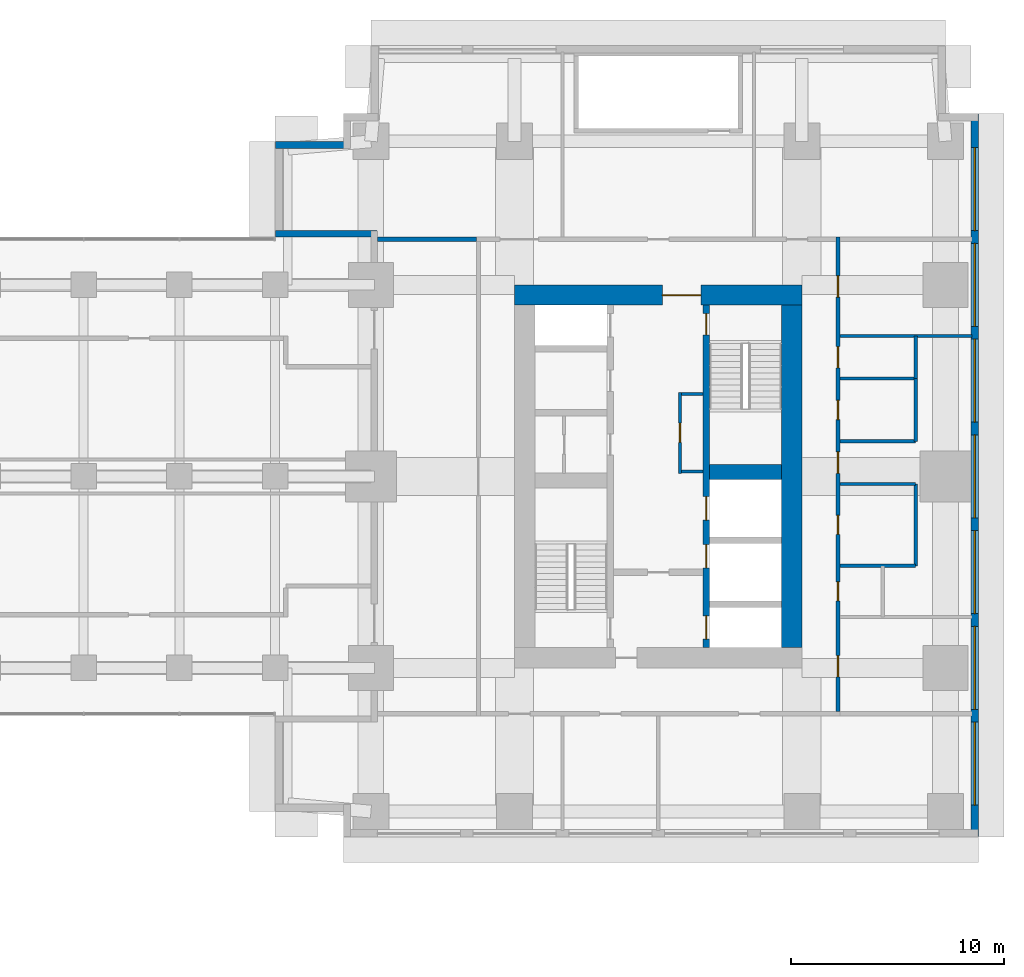
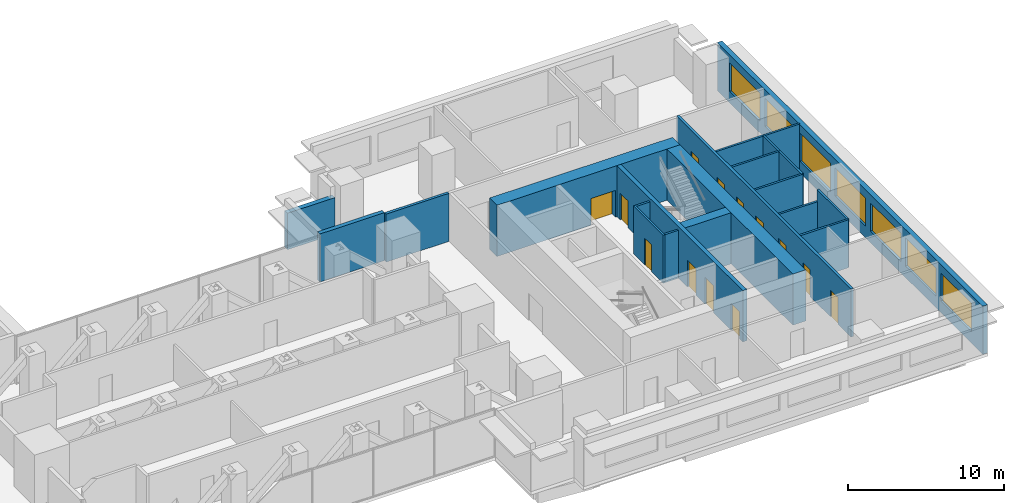
# One storey, part 11 of 14: 20 walls, 13 doors, 7 windows, 20 openings.
"""IFC4 building model written with IfcOpenShell, lengths in metres."""

from ifc_helpers import new_model, si_unit, direction, frame, frame_2d, origin, place, context, subcontext, project, spatial, rectangle, extrude, material, layer, layer_set, type_object, element, fill, save


model = new_model("IFC4")

# Units and contexts
model_context = context("Model", 3, precision=1e-05, world=origin(), true_north=direction((0.0, 1.0)))
body_context = subcontext(model_context, "Body", "Model", "MODEL_VIEW")
ifc_project = project(units=[si_unit("LENGTHUNIT", "METRE"), si_unit("AREAUNIT", "SQUARE_METRE"), si_unit("VOLUMEUNIT", "CUBIC_METRE"), si_unit("PLANEANGLEUNIT", "RADIAN"), si_unit("MASSUNIT", "GRAM", prefix="KILO")], contexts=[model_context])

# Site, building, storey
site_placement = place(None, origin())
site = spatial("IfcSite", under=ifc_project, at=site_placement, CompositionType="ELEMENT")
building_placement = place(site_placement, origin())
building = spatial("IfcBuilding", under=site, at=building_placement, Name="Namib Vertical Campus", CompositionType="ELEMENT")
storey_placement = place(building_placement, frame((0.0, 0.0, 133.0)))
storey = spatial("IfcBuildingStorey", under=building, at=storey_placement, Name="L31", CompositionType="ELEMENT", Elevation=133.0)

# Wall, openings, doors
ifc_material_1 = material(Name="Concrete C60/75", Category="concrete")
ifc_layer_1 = layer(ifc_material_1, 0.300048828125)
ifc_layer_set_1 = layer_set([ifc_layer_1], Name="Concrete C60/75")
wall_type_1 = type_object("IfcWallType", Name="Core inner wall 300", PredefinedType="SHEAR", material=ifc_layer_set_1)
wall_1_placement = place(storey_placement, frame((83.25, 12.199951171875, 0.0), z_axis=(0.0, 0.0, 1.0), x_axis=(0.0, 1.0, 0.0)))
wall_1 = element("IfcWall", 1, at=wall_1_placement, inside=storey, type_object=wall_type_1, Name="Core inner wall B L31 W2", PredefinedType="SHEAR", context=body_context, shape_type="SweptSolid", body=[
    extrude(rectangle(XDim=16.10009765625, YDim=0.300048828125, at=frame_2d((8.050048828125, 0.0))), origin(), (0.0, 0.0, 1.0), 4.0),
])
opening_1_placement = place(wall_1_placement, frame((14.699951171875, 0.0, 0.0)))
opening_1 = element("IfcOpeningElement", 2, at=opening_1_placement, cuts=wall_1, Name="Opening FD1", PredefinedType="OPENING", context=body_context, shape_type="SweptSolid", body=[
    extrude(rectangle(XDim=1.0, YDim=2.10009765625, at=frame_2d((0.5, 1.050048828125))), frame((0.0, 0.159912109375, 0.0), z_axis=(0.0, -1.0, 0.0), x_axis=(1.0, 0.0, 0.0)), (0.0, 0.0, 1.0), 0.320068359375),
])
opening_2_placement = place(wall_1_placement, frame((0.39990234375, 0.0, 0.0)))
opening_2 = element("IfcOpeningElement", 3, at=opening_2_placement, cuts=wall_1, Name="Opening LD1", PredefinedType="OPENING", context=body_context, shape_type="SweptSolid", body=[
    extrude(rectangle(XDim=1.10009765625, YDim=2.10009765625, at=frame_2d((0.550048828125, 1.050048828125))), frame((0.0, 0.159912109375, 0.0), z_axis=(0.0, -1.0, 0.0), x_axis=(1.0, 0.0, 0.0)), (0.0, 0.0, 1.0), 0.320068359375),
])
opening_3_placement = place(wall_1_placement, frame((3.75, 0.0, 0.0)))
opening_3 = element("IfcOpeningElement", 4, at=opening_3_placement, cuts=wall_1, Name="Opening LD1", PredefinedType="OPENING", context=body_context, shape_type="SweptSolid", body=[
    extrude(rectangle(XDim=1.10009765625, YDim=2.10009765625, at=frame_2d((0.550048828125, 1.050048828125))), frame((0.0, 0.159912109375, 0.0), z_axis=(0.0, -1.0, 0.0), x_axis=(1.0, 0.0, 0.0)), (0.0, 0.0, 1.0), 0.320068359375),
])
opening_4_placement = place(wall_1_placement, frame((6.0, 0.0, 0.0)))
opening_4 = element("IfcOpeningElement", 5, at=opening_4_placement, cuts=wall_1, Name="Opening LD1", PredefinedType="OPENING", context=body_context, shape_type="SweptSolid", body=[
    extrude(rectangle(XDim=1.10009765625, YDim=2.10009765625, at=frame_2d((0.550048828125, 1.050048828125))), frame((0.0, 0.159912109375, 0.0), z_axis=(0.0, -1.0, 0.0), x_axis=(1.0, 0.0, 0.0)), (0.0, 0.0, 1.0), 0.320068359375),
])
ifc_material_2 = material(Name="Steel fire door", Category="steel")
door_type_1 = type_object("IfcDoorType", Name="Fire door 1000x2100", OperationType="SINGLE_SWING_RIGHT", PredefinedType="DOOR", material=ifc_material_2)
door_1_placement = place(opening_1_placement, frame((1.0, 0.0, 0.0), z_axis=(0.0, 0.0, 1.0), x_axis=(-1.0, 0.0, 0.0)))
door_1 = element("IfcDoor", 6, at=door_1_placement, inside=storey, type_object=door_type_1, Name="Stair door FD1 B L31 S2", OperationType="SINGLE_SWING_LEFT", OverallHeight=2.10009765625, OverallWidth=1.0, PredefinedType="DOOR", context=body_context, shape_type="SweptSolid", body=[
    extrude(rectangle(XDim=1.0, YDim=2.10009765625, at=frame_2d((0.5, 1.050048828125))), frame((0.0, 0.02490234375, 0.0), z_axis=(0.0, -1.0, 0.0), x_axis=(1.0, 0.0, 0.0)), (0.0, 0.0, 1.0), 0.050048828125),
])
fill(opening_1, door_1)
ifc_material_3 = material(Name="Stainless steel lift door", Category="steel")
door_type_2 = type_object("IfcDoorType", Name="Lift landing door 1100x2100", OperationType="DOUBLE_DOOR_SLIDING", PredefinedType="DOOR", material=ifc_material_3)
door_2_placement = place(opening_2_placement, origin())
door_2 = element("IfcDoor", 7, at=door_2_placement, inside=storey, type_object=door_type_2, Name="Lift landing door LD1 B-FL1 L31", OperationType="DOUBLE_DOOR_SLIDING", OverallHeight=2.10009765625, OverallWidth=1.10009765625, PredefinedType="DOOR", context=body_context, shape_type="SweptSolid", body=[
    extrude(rectangle(XDim=1.10009765625, YDim=2.10009765625, at=frame_2d((0.550048828125, 1.050048828125))), frame((0.0, 0.02490234375, 0.0), z_axis=(0.0, -1.0, 0.0), x_axis=(1.0, 0.0, 0.0)), (0.0, 0.0, 1.0), 0.050048828125),
])
fill(opening_2, door_2)
door_3_placement = place(opening_3_placement, origin())
door_3 = element("IfcDoor", 8, at=door_3_placement, inside=storey, type_object=door_type_2, Name="Lift landing door LD1 B-P4 L31", OperationType="DOUBLE_DOOR_SLIDING", OverallHeight=2.10009765625, OverallWidth=1.10009765625, PredefinedType="DOOR", context=body_context, shape_type="SweptSolid", body=[
    extrude(rectangle(XDim=1.10009765625, YDim=2.10009765625, at=frame_2d((0.550048828125, 1.050048828125))), frame((0.0, 0.02490234375, 0.0), z_axis=(0.0, -1.0, 0.0), x_axis=(1.0, 0.0, 0.0)), (0.0, 0.0, 1.0), 0.050048828125),
])
fill(opening_3, door_3)
door_4_placement = place(opening_4_placement, origin())
door_4 = element("IfcDoor", 9, at=door_4_placement, inside=storey, type_object=door_type_2, Name="Lift landing door LD1 B-P5 L31", OperationType="DOUBLE_DOOR_SLIDING", OverallHeight=2.10009765625, OverallWidth=1.10009765625, PredefinedType="DOOR", context=body_context, shape_type="SweptSolid", body=[
    extrude(rectangle(XDim=1.10009765625, YDim=2.10009765625, at=frame_2d((0.550048828125, 1.050048828125))), frame((0.0, 0.02490234375, 0.0), z_axis=(0.0, -1.0, 0.0), x_axis=(1.0, 0.0, 0.0)), (0.0, 0.0, 1.0), 0.050048828125),
])
fill(opening_4, door_4)

# Walls
ifc_material_4 = material(Name="Concrete C60/75", Category="concrete")
ifc_layer_2 = layer(ifc_material_4, 0.699951171875)
ifc_layer_set_2 = layer_set([ifc_layer_2], Name="Concrete C60/75")
wall_type_2 = type_object("IfcWallType", Name="Core shear wall 700", PredefinedType="SHEAR", material=ifc_layer_set_2)
wall_2_placement = place(storey_placement, frame((83.39990234375, 20.449951171875, 0.0), z_axis=(0.0, 0.0, 1.0), x_axis=(1.0, 0.0, 0.0)))
element("IfcWall", 10, at=wall_2_placement, inside=storey, type_object=wall_type_2, Name="Core shear wall B L31 W7", PredefinedType="SHEAR", context=body_context, shape_type="SweptSolid", body=[
    extrude(rectangle(XDim=3.400146484375, YDim=0.699951171875, at=frame_2d((1.7001953125, 0.0))), origin(), (0.0, 0.0, 1.0), 4.0),
])
ifc_material_5 = material(Name="Concrete C60/75", Category="concrete")
ifc_layer_3 = layer(ifc_material_5, 0.949951171875)
ifc_layer_set_3 = layer_set([ifc_layer_3], Name="Concrete C60/75")
wall_type_3 = type_object("IfcWallType", Name="Core wall 950", PredefinedType="SHEAR", material=ifc_layer_set_3)
wall_3_placement = place(storey_placement, frame((87.27490234375, 12.199951171875, 0.0), z_axis=(0.0, 0.0, 1.0), x_axis=(0.0, 1.0, 0.0)))
element("IfcWall", 11, at=wall_3_placement, inside=storey, type_object=wall_type_3, Name="Core wall B L31 2", PredefinedType="SHEAR", context=body_context, shape_type="SweptSolid", body=[
    extrude(rectangle(XDim=16.10009765625, YDim=0.949951171875, at=frame_2d((8.050048828125, 0.0))), origin(), (0.0, 0.0, 1.0), 4.0),
])

# Wall, opening, door
wall_4_placement = place(storey_placement, frame((87.75, 28.77490234375, 0.0), z_axis=(0.0, 0.0, 1.0), x_axis=(-1.0, 0.0, 0.0)))
wall_4 = element("IfcWall", 12, at=wall_4_placement, inside=storey, type_object=wall_type_3, Name="Core wall B L31 3", PredefinedType="SHEAR", context=body_context, shape_type="SweptSolid", body=[
    extrude(rectangle(XDim=13.5, YDim=0.949951171875, at=frame_2d((6.75, 0.0))), origin(), (0.0, 0.0, 1.0), 4.0),
])
opening_5_placement = place(wall_4_placement, frame((4.75, 0.0, 0.0)))
opening_5 = element("IfcOpeningElement", 13, at=opening_5_placement, cuts=wall_4, Name="Opening FD2", PredefinedType="OPENING", context=body_context, shape_type="SweptSolid", body=[
    extrude(rectangle(XDim=1.800048828125, YDim=2.10009765625, at=frame_2d((0.89990234375, 1.050048828125))), frame((0.0, 0.48486328125, 0.0), z_axis=(0.0, -1.0, 0.0), x_axis=(1.0, 0.0, 0.0)), (0.0, 0.0, 1.0), 0.969970703125),
])
ifc_material_6 = material(Name="Steel fire door", Category="steel")
door_type_3 = type_object("IfcDoorType", Name="Fire door double 1800x2100", OperationType="DOUBLE_DOOR_SINGLE_SWING", PredefinedType="DOOR", material=ifc_material_6)
door_5_placement = place(opening_5_placement, origin())
door_5 = element("IfcDoor", 14, at=door_5_placement, inside=storey, type_object=door_type_3, Name="Lift lobby door FD2 B L31", OperationType="DOUBLE_DOOR_SINGLE_SWING", OverallHeight=2.10009765625, OverallWidth=1.800048828125, PredefinedType="DOOR", context=body_context, shape_type="SweptSolid", body=[
    extrude(rectangle(XDim=1.800048828125, YDim=2.10009765625, at=frame_2d((0.89990234375, 1.050048828125))), frame((0.0, 0.02490234375, 0.0), z_axis=(0.0, -1.0, 0.0), x_axis=(1.0, 0.0, 0.0)), (0.0, 0.0, 1.0), 0.050048828125),
])
fill(opening_5, door_5)

# Wall, openings, doors
ifc_material_7 = material(Name="Concrete masonry", Category="masonry")
ifc_layer_4 = layer(ifc_material_7, 0.199951171875)
ifc_layer_set_4 = layer_set([ifc_layer_4], Name="Corridor wall 200")
wall_type_4 = type_object("IfcWallType", Name="Corridor wall 200", PredefinedType="SOLIDWALL", material=ifc_layer_set_4)
wall_5_placement = place(storey_placement, frame((89.449951171875, 9.199951171875, 0.0), z_axis=(0.0, 0.0, 1.0), x_axis=(0.0, 1.0, 0.0)))
wall_5 = element("IfcWall", 15, at=wall_5_placement, inside=storey, type_object=wall_type_4, Name="Corridor wall B L31 CE", PredefinedType="SOLIDWALL", context=body_context, shape_type="SweptSolid", body=[
    extrude(rectangle(XDim=22.300048828125, YDim=0.199951171875, at=frame_2d((11.14990234375, 0.0))), origin(), (0.0, 0.0, 1.0), 3.75),
])
opening_6_placement = place(wall_5_placement, frame((1.625, 0.0, 0.0)))
opening_6 = element("IfcOpeningElement", 16, at=opening_6_placement, cuts=wall_5, Name="Opening CD1", PredefinedType="OPENING", context=body_context, shape_type="SweptSolid", body=[
    extrude(rectangle(XDim=1.0, YDim=2.10009765625, at=frame_2d((0.5, 1.050048828125))), frame((0.0, 0.10986328125, 0.0), z_axis=(0.0, -1.0, 0.0), x_axis=(1.0, 0.0, 0.0)), (0.0, 0.0, 1.0), 0.219970703125),
])
opening_7_placement = place(wall_5_placement, frame((5.199951171875, 0.0, 0.0)))
opening_7 = element("IfcOpeningElement", 17, at=opening_7_placement, cuts=wall_5, Name="Opening CD3", PredefinedType="OPENING", context=body_context, shape_type="SweptSolid", body=[
    extrude(rectangle(XDim=0.89990234375, YDim=2.10009765625, at=frame_2d((0.449951171875, 1.050048828125))), frame((0.0, 0.10986328125, 0.0), z_axis=(0.0, -1.0, 0.0), x_axis=(1.0, 0.0, 0.0)), (0.0, 0.0, 1.0), 0.219970703125),
])
opening_8_placement = place(wall_5_placement, frame((8.324951171875, 0.0, 0.0)))
opening_8 = element("IfcOpeningElement", 18, at=opening_8_placement, cuts=wall_5, Name="Opening CD3", PredefinedType="OPENING", context=body_context, shape_type="SweptSolid", body=[
    extrude(rectangle(XDim=0.89990234375, YDim=2.10009765625, at=frame_2d((0.449951171875, 1.050048828125))), frame((0.0, 0.10986328125, 0.0), z_axis=(0.0, -1.0, 0.0), x_axis=(1.0, 0.0, 0.0)), (0.0, 0.0, 1.0), 0.219970703125),
])
opening_9_placement = place(wall_5_placement, frame((13.72509765625, 0.0, 0.0)))
opening_9 = element("IfcOpeningElement", 19, at=opening_9_placement, cuts=wall_5, Name="Opening CD3", PredefinedType="OPENING", context=body_context, shape_type="SweptSolid", body=[
    extrude(rectangle(XDim=0.89990234375, YDim=2.10009765625, at=frame_2d((0.449951171875, 1.050048828125))), frame((0.0, 0.10986328125, 0.0), z_axis=(0.0, -1.0, 0.0), x_axis=(1.0, 0.0, 0.0)), (0.0, 0.0, 1.0), 0.219970703125),
])
opening_10_placement = place(wall_5_placement, frame((16.14990234375, 0.0, 0.0)))
opening_10 = element("IfcOpeningElement", 20, at=opening_10_placement, cuts=wall_5, Name="Opening CD1", PredefinedType="OPENING", context=body_context, shape_type="SweptSolid", body=[
    extrude(rectangle(XDim=1.0, YDim=2.10009765625, at=frame_2d((0.5, 1.050048828125))), frame((0.0, 0.10986328125, 0.0), z_axis=(0.0, -1.0, 0.0), x_axis=(1.0, 0.0, 0.0)), (0.0, 0.0, 1.0), 0.219970703125),
])
opening_11_placement = place(wall_5_placement, frame((11.199951171875, 0.0, 0.0)))
opening_11 = element("IfcOpeningElement", 21, at=opening_11_placement, cuts=wall_5, Name="Opening CD1", PredefinedType="OPENING", context=body_context, shape_type="SweptSolid", body=[
    extrude(rectangle(XDim=1.0, YDim=2.10009765625, at=frame_2d((0.5, 1.050048828125))), frame((0.0, 0.10986328125, 0.0), z_axis=(0.0, -1.0, 0.0), x_axis=(1.0, 0.0, 0.0)), (0.0, 0.0, 1.0), 0.219970703125),
])
opening_12_placement = place(wall_5_placement, frame((19.47509765625, 0.0, 0.0)))
opening_12 = element("IfcOpeningElement", 22, at=opening_12_placement, cuts=wall_5, Name="Opening CD1", PredefinedType="OPENING", context=body_context, shape_type="SweptSolid", body=[
    extrude(rectangle(XDim=1.0, YDim=2.10009765625, at=frame_2d((0.5, 1.050048828125))), frame((0.0, 0.10986328125, 0.0), z_axis=(0.0, -1.0, 0.0), x_axis=(1.0, 0.0, 0.0)), (0.0, 0.0, 1.0), 0.219970703125),
])
ifc_material_8 = material(Name="Timber fire door leaf", Category="wood")
door_type_4 = type_object("IfcDoorType", Name="Corridor door 1000x2100 20 min", OperationType="SINGLE_SWING_LEFT", PredefinedType="DOOR", material=ifc_material_8)
door_6_placement = place(opening_6_placement, frame((1.0, 0.0, 0.0), z_axis=(0.0, 0.0, 1.0), x_axis=(-1.0, 0.0, 0.0)))
door_6 = element("IfcDoor", 23, at=door_6_placement, inside=storey, type_object=door_type_4, Name="Door CD1 B31-04", OperationType="SINGLE_SWING_RIGHT", OverallHeight=2.10009765625, OverallWidth=1.0, PredefinedType="DOOR", context=body_context, shape_type="SweptSolid", body=[
    extrude(rectangle(XDim=1.0, YDim=2.10009765625, at=frame_2d((0.5, 1.050048828125))), frame((0.0, 0.02490234375, 0.0), z_axis=(0.0, -1.0, 0.0), x_axis=(1.0, 0.0, 0.0)), (0.0, 0.0, 1.0), 0.050048828125),
])
fill(opening_6, door_6)
door_7_placement = place(opening_10_placement, frame((1.0, 0.0, 0.0), z_axis=(0.0, 0.0, 1.0), x_axis=(-1.0, 0.0, 0.0)))
door_7 = element("IfcDoor", 24, at=door_7_placement, inside=storey, type_object=door_type_4, Name="Door CD1 B31-08", OperationType="SINGLE_SWING_RIGHT", OverallHeight=2.10009765625, OverallWidth=1.0, PredefinedType="DOOR", context=body_context, shape_type="SweptSolid", body=[
    extrude(rectangle(XDim=1.0, YDim=2.10009765625, at=frame_2d((0.5, 1.050048828125))), frame((0.0, 0.02490234375, 0.0), z_axis=(0.0, -1.0, 0.0), x_axis=(1.0, 0.0, 0.0)), (0.0, 0.0, 1.0), 0.050048828125),
])
fill(opening_10, door_7)
door_8_placement = place(opening_11_placement, frame((1.0, 0.0, 0.0), z_axis=(0.0, 0.0, 1.0), x_axis=(-1.0, 0.0, 0.0)))
door_8 = element("IfcDoor", 25, at=door_8_placement, inside=storey, type_object=door_type_4, Name="Door CD1 B31-09", OperationType="SINGLE_SWING_RIGHT", OverallHeight=2.10009765625, OverallWidth=1.0, PredefinedType="DOOR", context=body_context, shape_type="SweptSolid", body=[
    extrude(rectangle(XDim=1.0, YDim=2.10009765625, at=frame_2d((0.5, 1.050048828125))), frame((0.0, 0.02490234375, 0.0), z_axis=(0.0, -1.0, 0.0), x_axis=(1.0, 0.0, 0.0)), (0.0, 0.0, 1.0), 0.050048828125),
])
fill(opening_11, door_8)
door_9_placement = place(opening_12_placement, frame((1.0, 0.0, 0.0), z_axis=(0.0, 0.0, 1.0), x_axis=(-1.0, 0.0, 0.0)))
door_9 = element("IfcDoor", 26, at=door_9_placement, inside=storey, type_object=door_type_4, Name="Door CD1 B31-10", OperationType="SINGLE_SWING_RIGHT", OverallHeight=2.10009765625, OverallWidth=1.0, PredefinedType="DOOR", context=body_context, shape_type="SweptSolid", body=[
    extrude(rectangle(XDim=1.0, YDim=2.10009765625, at=frame_2d((0.5, 1.050048828125))), frame((0.0, 0.02490234375, 0.0), z_axis=(0.0, -1.0, 0.0), x_axis=(1.0, 0.0, 0.0)), (0.0, 0.0, 1.0), 0.050048828125),
])
fill(opening_12, door_9)
ifc_material_9 = material(Name="Timber fire door leaf", Category="wood")
door_type_5 = type_object("IfcDoorType", Name="Corridor toilet door 900x2100 20 min", OperationType="SINGLE_SWING_LEFT", PredefinedType="DOOR", material=ifc_material_9)
door_10_placement = place(opening_7_placement, frame((0.89990234375, 0.0, 0.0), z_axis=(0.0, 0.0, 1.0), x_axis=(-1.0, 0.0, 0.0)))
door_10 = element("IfcDoor", 27, at=door_10_placement, inside=storey, type_object=door_type_5, Name="Door CD3 B31-05", OperationType="SINGLE_SWING_RIGHT", OverallHeight=2.10009765625, OverallWidth=0.89990234375, PredefinedType="DOOR", context=body_context, shape_type="SweptSolid", body=[
    extrude(rectangle(XDim=0.89990234375, YDim=2.10009765625, at=frame_2d((0.449951171875, 1.050048828125))), frame((0.0, 0.02490234375, 0.0), z_axis=(0.0, -1.0, 0.0), x_axis=(1.0, 0.0, 0.0)), (0.0, 0.0, 1.0), 0.050048828125),
])
fill(opening_7, door_10)
door_11_placement = place(opening_8_placement, frame((0.89990234375, 0.0, 0.0), z_axis=(0.0, 0.0, 1.0), x_axis=(-1.0, 0.0, 0.0)))
door_11 = element("IfcDoor", 28, at=door_11_placement, inside=storey, type_object=door_type_5, Name="Door CD3 B31-06", OperationType="SINGLE_SWING_RIGHT", OverallHeight=2.10009765625, OverallWidth=0.89990234375, PredefinedType="DOOR", context=body_context, shape_type="SweptSolid", body=[
    extrude(rectangle(XDim=0.89990234375, YDim=2.10009765625, at=frame_2d((0.449951171875, 1.050048828125))), frame((0.0, 0.02490234375, 0.0), z_axis=(0.0, -1.0, 0.0), x_axis=(1.0, 0.0, 0.0)), (0.0, 0.0, 1.0), 0.050048828125),
])
fill(opening_8, door_11)
door_12_placement = place(opening_9_placement, frame((0.89990234375, 0.0, 0.0), z_axis=(0.0, 0.0, 1.0), x_axis=(-1.0, 0.0, 0.0)))
door_12 = element("IfcDoor", 29, at=door_12_placement, inside=storey, type_object=door_type_5, Name="Door CD3 B31-07", OperationType="SINGLE_SWING_RIGHT", OverallHeight=2.10009765625, OverallWidth=0.89990234375, PredefinedType="DOOR", context=body_context, shape_type="SweptSolid", body=[
    extrude(rectangle(XDim=0.89990234375, YDim=2.10009765625, at=frame_2d((0.449951171875, 1.050048828125))), frame((0.0, 0.02490234375, 0.0), z_axis=(0.0, -1.0, 0.0), x_axis=(1.0, 0.0, 0.0)), (0.0, 0.0, 1.0), 0.050048828125),
])
fill(opening_9, door_12)

# Wall
wall_6_placement = place(storey_placement, frame((67.800048828125, 31.39990234375, 0.0), z_axis=(0.0, 0.0, 1.0), x_axis=(1.0, 0.0, 0.0)))
element("IfcWall", 30, at=wall_6_placement, inside=storey, type_object=wall_type_4, Name="Partition B L31 BNW", PredefinedType="SOLIDWALL", context=body_context, shape_type="SweptSolid", body=[
    extrude(rectangle(XDim=4.64990234375, YDim=0.199951171875, at=frame_2d((2.324951171875, 0.0))), origin(), (0.0, 0.0, 1.0), 3.75),
])

# Wall, openings, windows
ifc_material_10 = material(Name="Concrete C40/50", Category="concrete")
ifc_layer_5 = layer(ifc_material_10, 0.35009765625)
ifc_layer_set_5 = layer_set([ifc_layer_5], Name="Concrete C40/50")
wall_type_5 = type_object("IfcWallType", Name="External wall 350 bush-hammered concrete", PredefinedType="STANDARD", material=ifc_layer_set_5)
wall_7_placement = place(storey_placement, frame((95.875, 3.320068359375, 0.0), z_axis=(0.0, 0.0, 1.0), x_axis=(0.0, 1.0, 0.0)))
wall_7 = element("IfcWall", 31, at=wall_7_placement, inside=storey, type_object=wall_type_5, Name="External wall L31 F05", PredefinedType="STANDARD", context=body_context, shape_type="SweptSolid", body=[
    extrude(rectangle(XDim=33.9599609375, YDim=0.35009765625, at=frame_2d((16.97998046875, 0.0))), origin(), (0.0, 0.0, 1.0), 3.75),
])
opening_13_placement = place(wall_7_placement, frame((1.47998046875, 0.0, 0.89990234375)))
opening_13 = element("IfcOpeningElement", 32, at=opening_13_placement, cuts=wall_7, Name="Opening W1", PredefinedType="OPENING", context=body_context, shape_type="SweptSolid", body=[
    extrude(rectangle(XDim=3.89990234375, YDim=2.199951171875, at=frame_2d((1.949951171875, 1.10009765625))), frame((0.0, 0.18505859375, 0.0), z_axis=(0.0, -1.0, 0.0), x_axis=(1.0, 0.0, 0.0)), (0.0, 0.0, 1.0), 0.3701171875),
])
opening_14_placement = place(wall_7_placement, frame((5.97998046875, 0.0, 0.89990234375)))
opening_14 = element("IfcOpeningElement", 33, at=opening_14_placement, cuts=wall_7, Name="Opening W1", PredefinedType="OPENING", context=body_context, shape_type="SweptSolid", body=[
    extrude(rectangle(XDim=3.89990234375, YDim=2.199951171875, at=frame_2d((1.949951171875, 1.10009765625))), frame((0.0, 0.18505859375, 0.0), z_axis=(0.0, -1.0, 0.0), x_axis=(1.0, 0.0, 0.0)), (0.0, 0.0, 1.0), 0.3701171875),
])
opening_15_placement = place(wall_7_placement, frame((10.47998046875, 0.0, 0.89990234375)))
opening_15 = element("IfcOpeningElement", 34, at=opening_15_placement, cuts=wall_7, Name="Opening W1", PredefinedType="OPENING", context=body_context, shape_type="SweptSolid", body=[
    extrude(rectangle(XDim=3.89990234375, YDim=2.199951171875, at=frame_2d((1.949951171875, 1.10009765625))), frame((0.0, 0.18505859375, 0.0), z_axis=(0.0, -1.0, 0.0), x_axis=(1.0, 0.0, 0.0)), (0.0, 0.0, 1.0), 0.3701171875),
])
opening_16_placement = place(wall_7_placement, frame((14.97998046875, 0.0, 0.89990234375)))
opening_16 = element("IfcOpeningElement", 35, at=opening_16_placement, cuts=wall_7, Name="Opening W1", PredefinedType="OPENING", context=body_context, shape_type="SweptSolid", body=[
    extrude(rectangle(XDim=3.89990234375, YDim=2.199951171875, at=frame_2d((1.949951171875, 1.10009765625))), frame((0.0, 0.18505859375, 0.0), z_axis=(0.0, -1.0, 0.0), x_axis=(1.0, 0.0, 0.0)), (0.0, 0.0, 1.0), 0.3701171875),
])
opening_17_placement = place(wall_7_placement, frame((19.47998046875, 0.0, 0.89990234375)))
opening_17 = element("IfcOpeningElement", 36, at=opening_17_placement, cuts=wall_7, Name="Opening W1", PredefinedType="OPENING", context=body_context, shape_type="SweptSolid", body=[
    extrude(rectangle(XDim=3.89990234375, YDim=2.199951171875, at=frame_2d((1.949951171875, 1.10009765625))), frame((0.0, 0.18505859375, 0.0), z_axis=(0.0, -1.0, 0.0), x_axis=(1.0, 0.0, 0.0)), (0.0, 0.0, 1.0), 0.3701171875),
])
opening_18_placement = place(wall_7_placement, frame((23.97998046875, 0.0, 0.89990234375)))
opening_18 = element("IfcOpeningElement", 37, at=opening_18_placement, cuts=wall_7, Name="Opening W1", PredefinedType="OPENING", context=body_context, shape_type="SweptSolid", body=[
    extrude(rectangle(XDim=3.89990234375, YDim=2.199951171875, at=frame_2d((1.949951171875, 1.10009765625))), frame((0.0, 0.18505859375, 0.0), z_axis=(0.0, -1.0, 0.0), x_axis=(1.0, 0.0, 0.0)), (0.0, 0.0, 1.0), 0.3701171875),
])
opening_19_placement = place(wall_7_placement, frame((28.47998046875, 0.0, 0.89990234375)))
opening_19 = element("IfcOpeningElement", 38, at=opening_19_placement, cuts=wall_7, Name="Opening W1", PredefinedType="OPENING", context=body_context, shape_type="SweptSolid", body=[
    extrude(rectangle(XDim=3.89990234375, YDim=2.199951171875, at=frame_2d((1.949951171875, 1.10009765625))), frame((0.0, 0.18505859375, 0.0), z_axis=(0.0, -1.0, 0.0), x_axis=(1.0, 0.0, 0.0)), (0.0, 0.0, 1.0), 0.3701171875),
])
ifc_material_11 = material(Name="Dark tinted glass in black aluminium frame", Category="aluminium")
window_type = type_object("IfcWindowType", Name="Ribbon window 3900x2200", PartitioningType="SINGLE_PANEL", PredefinedType="WINDOW", material=ifc_material_11)
window_1_placement = place(opening_13_placement, origin())
window_1 = element("IfcWindow", 39, at=window_1_placement, inside=storey, type_object=window_type, Name="Window W1 L31 F05-1", OverallHeight=2.199951171875, OverallWidth=3.89990234375, PartitioningType="SINGLE_PANEL", PredefinedType="WINDOW", context=body_context, shape_type="SweptSolid", body=[
    extrude(rectangle(XDim=3.89990234375, YDim=2.199951171875, at=frame_2d((1.949951171875, 1.10009765625))), frame((0.0, 0.030029296875, 0.0), z_axis=(0.0, -1.0, 0.0), x_axis=(1.0, 0.0, 0.0)), (0.0, 0.0, 1.0), 0.06005859375),
])
fill(opening_13, window_1)
window_2_placement = place(opening_14_placement, origin())
window_2 = element("IfcWindow", 40, at=window_2_placement, inside=storey, type_object=window_type, Name="Window W1 L31 F05-2", OverallHeight=2.199951171875, OverallWidth=3.89990234375, PartitioningType="SINGLE_PANEL", PredefinedType="WINDOW", context=body_context, shape_type="SweptSolid", body=[
    extrude(rectangle(XDim=3.89990234375, YDim=2.199951171875, at=frame_2d((1.949951171875, 1.10009765625))), frame((0.0, 0.030029296875, 0.0), z_axis=(0.0, -1.0, 0.0), x_axis=(1.0, 0.0, 0.0)), (0.0, 0.0, 1.0), 0.06005859375),
])
fill(opening_14, window_2)
window_3_placement = place(opening_15_placement, origin())
window_3 = element("IfcWindow", 41, at=window_3_placement, inside=storey, type_object=window_type, Name="Window W1 L31 F05-3", OverallHeight=2.199951171875, OverallWidth=3.89990234375, PartitioningType="SINGLE_PANEL", PredefinedType="WINDOW", context=body_context, shape_type="SweptSolid", body=[
    extrude(rectangle(XDim=3.89990234375, YDim=2.199951171875, at=frame_2d((1.949951171875, 1.10009765625))), frame((0.0, 0.030029296875, 0.0), z_axis=(0.0, -1.0, 0.0), x_axis=(1.0, 0.0, 0.0)), (0.0, 0.0, 1.0), 0.06005859375),
])
fill(opening_15, window_3)
window_4_placement = place(opening_16_placement, origin())
window_4 = element("IfcWindow", 42, at=window_4_placement, inside=storey, type_object=window_type, Name="Window W1 L31 F05-4", OverallHeight=2.199951171875, OverallWidth=3.89990234375, PartitioningType="SINGLE_PANEL", PredefinedType="WINDOW", context=body_context, shape_type="SweptSolid", body=[
    extrude(rectangle(XDim=3.89990234375, YDim=2.199951171875, at=frame_2d((1.949951171875, 1.10009765625))), frame((0.0, 0.030029296875, 0.0), z_axis=(0.0, -1.0, 0.0), x_axis=(1.0, 0.0, 0.0)), (0.0, 0.0, 1.0), 0.06005859375),
])
fill(opening_16, window_4)
window_5_placement = place(opening_17_placement, origin())
window_5 = element("IfcWindow", 43, at=window_5_placement, inside=storey, type_object=window_type, Name="Window W1 L31 F05-5", OverallHeight=2.199951171875, OverallWidth=3.89990234375, PartitioningType="SINGLE_PANEL", PredefinedType="WINDOW", context=body_context, shape_type="SweptSolid", body=[
    extrude(rectangle(XDim=3.89990234375, YDim=2.199951171875, at=frame_2d((1.949951171875, 1.10009765625))), frame((0.0, 0.030029296875, 0.0), z_axis=(0.0, -1.0, 0.0), x_axis=(1.0, 0.0, 0.0)), (0.0, 0.0, 1.0), 0.06005859375),
])
fill(opening_17, window_5)
window_6_placement = place(opening_18_placement, origin())
window_6 = element("IfcWindow", 44, at=window_6_placement, inside=storey, type_object=window_type, Name="Window W1 L31 F05-6", OverallHeight=2.199951171875, OverallWidth=3.89990234375, PartitioningType="SINGLE_PANEL", PredefinedType="WINDOW", context=body_context, shape_type="SweptSolid", body=[
    extrude(rectangle(XDim=3.89990234375, YDim=2.199951171875, at=frame_2d((1.949951171875, 1.10009765625))), frame((0.0, 0.030029296875, 0.0), z_axis=(0.0, -1.0, 0.0), x_axis=(1.0, 0.0, 0.0)), (0.0, 0.0, 1.0), 0.06005859375),
])
fill(opening_18, window_6)
window_7_placement = place(opening_19_placement, origin())
window_7 = element("IfcWindow", 45, at=window_7_placement, inside=storey, type_object=window_type, Name="Window W1 L31 F05-7", OverallHeight=2.199951171875, OverallWidth=3.89990234375, PartitioningType="SINGLE_PANEL", PredefinedType="WINDOW", context=body_context, shape_type="SweptSolid", body=[
    extrude(rectangle(XDim=3.89990234375, YDim=2.199951171875, at=frame_2d((1.949951171875, 1.10009765625))), frame((0.0, 0.030029296875, 0.0), z_axis=(0.0, -1.0, 0.0), x_axis=(1.0, 0.0, 0.0)), (0.0, 0.0, 1.0), 0.06005859375),
])
fill(opening_19, window_7)

# Walls
wall_8_placement = place(storey_placement, frame((66.530029296875, 35.824951171875, 0.0), z_axis=(0.0, 0.0, 1.0), x_axis=(-1.0, 0.0, 0.0)))
element("IfcWall", 46, at=wall_8_placement, inside=storey, type_object=wall_type_5, Name="External wall L31 F12", PredefinedType="STANDARD", context=body_context, shape_type="SweptSolid", body=[
    extrude(rectangle(XDim=3.510009765625, YDim=0.35009765625, at=frame_2d((1.7548828125, 0.0))), origin(), (0.0, 0.0, 1.0), 2.85009765625),
])
ifc_material_12 = material(Name="Concrete masonry", Category="masonry")
ifc_layer_6 = layer(ifc_material_12, 0.300048828125)
ifc_layer_set_6 = layer_set([ifc_layer_6], Name="Fire wall 300")
wall_type_6 = type_object("IfcWallType", Name="Fire wall 300", PredefinedType="SOLIDWALL", material=ifc_layer_set_6)
wall_9_placement = place(storey_placement, frame((63.02001953125, 31.64990234375, 0.0), z_axis=(0.0, 0.0, 1.0), x_axis=(1.0, 0.0, 0.0)))
element("IfcWall", 47, at=wall_9_placement, inside=storey, type_object=wall_type_6, Name="External wall L31 F14", PredefinedType="SOLIDWALL", context=body_context, shape_type="SweptSolid", body=[
    extrude(rectangle(XDim=4.760009765625, YDim=0.300048828125, at=frame_2d((2.3798828125, 0.0))), origin(), (0.0, 0.0, 1.0), 3.75),
])

# Wall, opening, door
ifc_material_13 = material(Name="Gypsum board on steel studs", Category="steel")
ifc_layer_7 = layer(ifc_material_13, 0.14990234375)
ifc_layer_set_7 = layer_set([ifc_layer_7], Name="Gypsum board on steel studs")
wall_type_7 = type_object("IfcWallType", Name="Partition 150", PredefinedType="PARTITIONING", material=ifc_layer_set_7)
wall_10_placement = place(storey_placement, frame((82.02490234375, 20.39990234375, 0.0), z_axis=(0.0, 0.0, 1.0), x_axis=(0.0, 1.0, 0.0)))
wall_10 = element("IfcWall", 48, at=wall_10_placement, inside=storey, type_object=wall_type_7, Name="Partition B L31 Linen store front", PredefinedType="PARTITIONING", context=body_context, shape_type="SweptSolid", body=[
    extrude(rectangle(XDim=3.800048828125, YDim=0.14990234375, at=frame_2d((1.89990234375, 0.0))), origin(), (0.0, 0.0, 1.0), 3.75),
])
opening_20_placement = place(wall_10_placement, frame((1.449951171875, 0.0, 0.0)))
opening_20 = element("IfcOpeningElement", 49, at=opening_20_placement, cuts=wall_10, Name="Opening D3", PredefinedType="OPENING", context=body_context, shape_type="SweptSolid", body=[
    extrude(rectangle(XDim=0.89990234375, YDim=2.10009765625, at=frame_2d((0.449951171875, 1.050048828125))), frame((0.0, 0.0849609375, 0.0), z_axis=(0.0, -1.0, 0.0), x_axis=(1.0, 0.0, 0.0)), (0.0, 0.0, 1.0), 0.169921875),
])
ifc_material_14 = material(Name="Timber door leaf", Category="wood")
door_type_6 = type_object("IfcDoorType", Name="Toilet door 900x2100", OperationType="SINGLE_SWING_LEFT", PredefinedType="DOOR", material=ifc_material_14)
door_13_placement = place(opening_20_placement, frame((0.89990234375, 0.0, 0.0), z_axis=(0.0, 0.0, 1.0), x_axis=(-1.0, 0.0, 0.0)))
door_13 = element("IfcDoor", 50, at=door_13_placement, inside=storey, type_object=door_type_6, Name="Door D3 Linen store B L31", OperationType="SINGLE_SWING_RIGHT", OverallHeight=2.10009765625, OverallWidth=0.89990234375, PredefinedType="DOOR", context=body_context, shape_type="SweptSolid", body=[
    extrude(rectangle(XDim=0.89990234375, YDim=2.10009765625, at=frame_2d((0.449951171875, 1.050048828125))), frame((0.0, 0.02490234375, 0.0), z_axis=(0.0, -1.0, 0.0), x_axis=(1.0, 0.0, 0.0)), (0.0, 0.0, 1.0), 0.050048828125),
])
fill(opening_20, door_13)

# Walls
for number, where, z_axis, x_axis, name in (
    (51, (82.10009765625, 20.47509765625, 0.0), (0.0, 0.0, 1.0), (1.0, 0.0, 0.0), "Partition B L31 Linen store end 1"),
    (52, (82.10009765625, 24.125, 0.0), (0.0, 0.0, 1.0), (1.0, 0.0, 0.0), "Partition B L31 Linen store end 2"),
):
    element("IfcWall", number, at=place(storey_placement, frame(where, z_axis=z_axis, x_axis=x_axis)), inside=storey, type_object=wall_type_7, Name=name, PredefinedType="PARTITIONING", context=body_context, shape_type="SweptSolid", body=[
        extrude(rectangle(XDim=1.0, YDim=0.14990234375, at=frame_2d((0.5, 0.0))), origin(), (0.0, 0.0, 1.0), 3.75),
    ])
wall_11_placement = place(storey_placement, frame((89.550048828125, 26.85009765625, 0.0), z_axis=(0.0, 0.0, 1.0), x_axis=(1.0, 0.0, 0.0)))
element("IfcWall", 53, at=wall_11_placement, inside=storey, type_object=wall_type_7, Name="Partition B L31 PE2", PredefinedType="PARTITIONING", context=body_context, shape_type="SweptSolid", body=[
    extrude(rectangle(XDim=6.199951171875, YDim=0.14990234375, at=frame_2d((3.10009765625, 0.0))), origin(), (0.0, 0.0, 1.0), 3.75),
])
wall_12_placement = place(storey_placement, frame((89.550048828125, 16.050048828125, 0.0), z_axis=(0.0, 0.0, 1.0), x_axis=(1.0, 0.0, 0.0)))
element("IfcWall", 54, at=wall_12_placement, inside=storey, type_object=wall_type_7, Name="Partition B L31 WR1", PredefinedType="PARTITIONING", context=body_context, shape_type="SweptSolid", body=[
    extrude(rectangle(XDim=3.550048828125, YDim=0.14990234375, at=frame_2d((1.77490234375, 0.0))), origin(), (0.0, 0.0, 1.0), 3.75),
])
wall_13_placement = place(storey_placement, frame((89.550048828125, 19.89990234375, 0.0), z_axis=(0.0, 0.0, 1.0), x_axis=(1.0, 0.0, 0.0)))
element("IfcWall", 55, at=wall_13_placement, inside=storey, type_object=wall_type_7, Name="Partition B L31 WR2", PredefinedType="PARTITIONING", context=body_context, shape_type="SweptSolid", body=[
    extrude(rectangle(XDim=3.550048828125, YDim=0.14990234375, at=frame_2d((1.77490234375, 0.0))), origin(), (0.0, 0.0, 1.0), 2.85009765625),
])
for number, where, z_axis, x_axis, name in (
    (56, (89.550048828125, 21.89990234375, 0.0), (0.0, 0.0, 1.0), (1.0, 0.0, 0.0), "Partition B L31 WR3"),
    (57, (89.550048828125, 24.85009765625, 0.0), (0.0, 0.0, 1.0), (1.0, 0.0, 0.0), "Partition B L31 WR4"),
):
    element("IfcWall", number, at=place(storey_placement, frame(where, z_axis=z_axis, x_axis=x_axis)), inside=storey, type_object=wall_type_7, Name=name, PredefinedType="PARTITIONING", context=body_context, shape_type="SweptSolid", body=[
        extrude(rectangle(XDim=3.550048828125, YDim=0.14990234375, at=frame_2d((1.77490234375, 0.0))), origin(), (0.0, 0.0, 1.0), 3.75),
    ])
wall_14_placement = place(storey_placement, frame((93.10009765625, 16.050048828125, 0.0), z_axis=(0.0, 0.0, 1.0), x_axis=(0.0, 1.0, 0.0)))
element("IfcWall", 58, at=wall_14_placement, inside=storey, type_object=wall_type_7, Name="Partition B L31 WB2", PredefinedType="PARTITIONING", context=body_context, shape_type="SweptSolid", body=[
    extrude(rectangle(XDim=3.849853515625, YDim=0.14990234375, at=frame_2d((1.9248046875, 0.0))), origin(), (0.0, 0.0, 1.0), 3.75),
])
wall_15_placement = place(storey_placement, frame((93.10009765625, 21.89990234375, 0.0), z_axis=(0.0, 0.0, 1.0), x_axis=(0.0, 1.0, 0.0)))
element("IfcWall", 59, at=wall_15_placement, inside=storey, type_object=wall_type_7, Name="Partition B L31 WB3", PredefinedType="PARTITIONING", context=body_context, shape_type="SweptSolid", body=[
    extrude(rectangle(XDim=2.9501953125, YDim=0.14990234375, at=frame_2d((1.47509765625, 0.0))), origin(), (0.0, 0.0, 1.0), 3.75),
])
wall_16_placement = place(storey_placement, frame((93.10009765625, 24.85009765625, 0.0), z_axis=(0.0, 0.0, 1.0), x_axis=(0.0, 1.0, 0.0)))
element("IfcWall", 60, at=wall_16_placement, inside=storey, type_object=wall_type_7, Name="Partition B L31 WB4", PredefinedType="PARTITIONING", context=body_context, shape_type="SweptSolid", body=[
    extrude(rectangle(XDim=2.0, YDim=0.14990234375, at=frame_2d((1.0, 0.0))), origin(), (0.0, 0.0, 1.0), 3.75),
])

save(model, "model.ifc")
